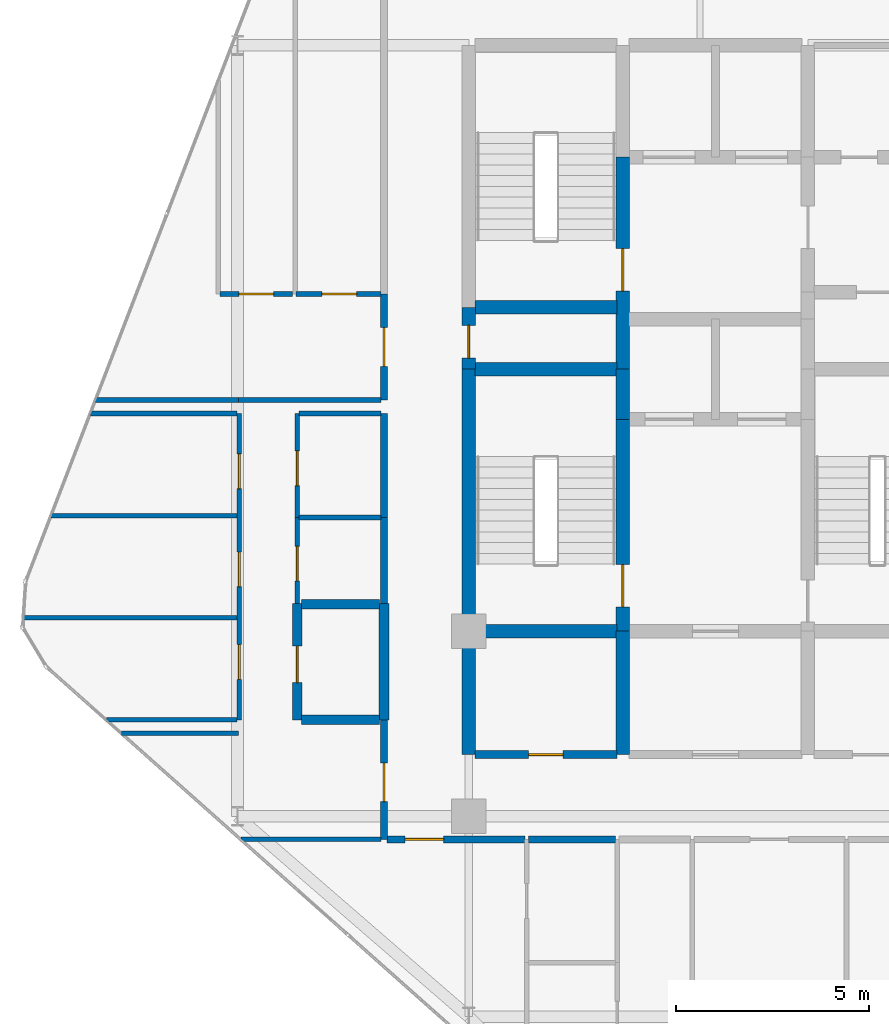
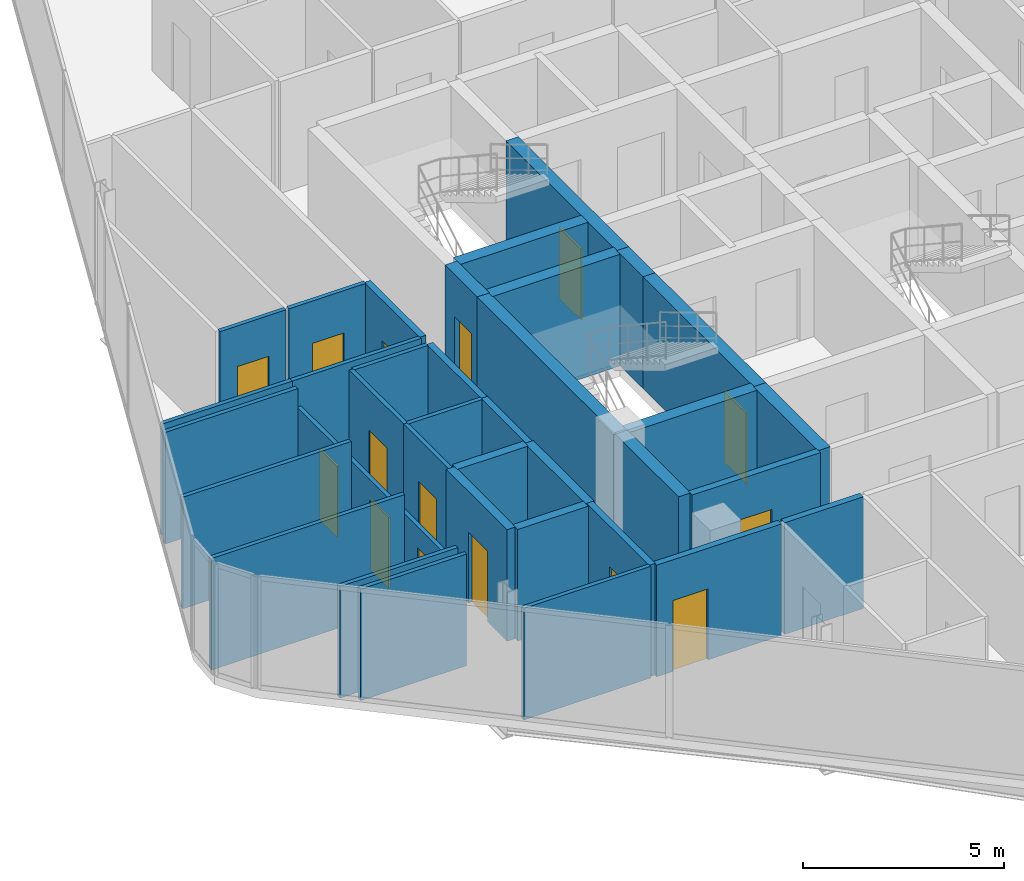
# One storey, part 25 of 32: 36 walls, 15 doors, 15 openings.
"""IFC4 building model written with IfcOpenShell, lengths in metres."""

from ifc_helpers import new_model, si_unit, direction, frame, frame_2d, origin, place, context, subcontext, project, spatial, rectangle, extrude, material, layer, layer_set, type_object, element, fill, save


model = new_model("IFC4")

# Units and contexts
model_context = context("Model", 3, precision=1e-05, world=origin(), true_north=direction((0.0, 1.0)))
body_context = subcontext(model_context, "Body", "Model", "MODEL_VIEW")
ifc_project = project(units=[si_unit("LENGTHUNIT", "METRE"), si_unit("AREAUNIT", "SQUARE_METRE"), si_unit("VOLUMEUNIT", "CUBIC_METRE"), si_unit("PLANEANGLEUNIT", "RADIAN"), si_unit("MASSUNIT", "GRAM", prefix="KILO")], contexts=[model_context])

# Site, building, storey
site_placement = place(None, origin())
site = spatial("IfcSite", under=ifc_project, at=site_placement, CompositionType="ELEMENT")
building_placement = place(site_placement, origin())
building = spatial("IfcBuilding", under=site, at=building_placement, Name="Keshet Zoharim Tower", CompositionType="ELEMENT")
storey_placement = place(building_placement, frame((0.0, 0.0, 137.199951171875)))
storey = spatial("IfcBuildingStorey", under=building, at=storey_placement, Name="L33", CompositionType="ELEMENT", Elevation=137.199951171875)

# Walls
ifc_material_1 = material(Name="Concrete C60/75", Category="concrete")
ifc_layer_1 = layer(ifc_material_1, 0.35009765625)
ifc_layer_set_1 = layer_set([ifc_layer_1], Name="Concrete C60/75")
wall_type_1 = type_object("IfcWallType", Name="WL-CORE-350", PredefinedType="SHEAR", material=ifc_layer_set_1)
wall_1_placement = place(storey_placement, frame((15.0, 19.5, 0.0), z_axis=(0.0, 0.0, 1.0), x_axis=(0.0, 1.0, 0.0)))
element("IfcWall", 1, at=wall_1_placement, inside=storey, type_object=wall_type_1, Name="L33 Core Shear Wall 013", PredefinedType="SHEAR", context=body_context, shape_type="SweptSolid", body=[
    extrude(rectangle(XDim=3.199951171875, YDim=0.35009765625, at=frame_2d((1.60009765625, 0.0))), origin(), (0.0, 0.0, 1.0), 3.385009765625),
])
wall_2_placement = place(storey_placement, frame((15.0, 22.699951171875, 0.0), z_axis=(0.0, 0.0, 1.0), x_axis=(0.0, 1.0, 0.0)))
element("IfcWall", 2, at=wall_2_placement, inside=storey, type_object=wall_type_1, Name="L33 Core Shear Wall 014", PredefinedType="SHEAR", context=body_context, shape_type="SweptSolid", body=[
    extrude(rectangle(XDim=6.800048828125, YDim=0.35009765625, at=frame_2d((3.39990234375, 0.0))), origin(), (0.0, 0.0, 1.0), 3.385009765625),
])

# Wall, opening, door
wall_3_placement = place(storey_placement, frame((15.0, 29.5, 0.0), z_axis=(0.0, 0.0, 1.0), x_axis=(0.0, 1.0, 0.0)))
wall_3 = element("IfcWall", 3, at=wall_3_placement, inside=storey, type_object=wall_type_1, Name="L33 Core Shear Wall 015", PredefinedType="SHEAR", context=body_context, shape_type="SweptSolid", body=[
    extrude(rectangle(XDim=1.60009765625, YDim=0.35009765625, at=frame_2d((0.800048828125, 0.0))), origin(), (0.0, 0.0, 1.0), 3.385009765625),
])
opening_1_placement = place(wall_3_placement, frame((0.287109375, 0.0, 0.0)))
opening_1 = element("IfcOpeningElement", 4, at=opening_1_placement, cuts=wall_3, Name="Opening D-RS85", PredefinedType="OPENING", context=body_context, shape_type="SweptSolid", body=[
    extrude(rectangle(XDim=0.85009765625, YDim=2.10009765625, at=frame_2d((0.425048828125, 1.050048828125))), frame((0.0, 0.18505859375, 0.0), z_axis=(0.0, -1.0, 0.0), x_axis=(1.0, 0.0, 0.0)), (0.0, 0.0, 1.0), 0.3701171875),
])
ifc_material_2 = material(Name="Hardwood Timber", Category="wood")
door_type_1 = type_object("IfcDoorType", Name="DR-RIS-085", OperationType="NOTDEFINED", PredefinedType="DOOR", material=ifc_material_2)
door_1_placement = place(opening_1_placement, origin())
door_1 = element("IfcDoor", 5, at=door_1_placement, inside=storey, type_object=door_type_1, Name="L33 Electrical Riser Access Cupboard Door", OperationType="SINGLE_SWING_RIGHT", OverallHeight=2.10009765625, OverallWidth=0.85009765625, PredefinedType="DOOR", context=body_context, shape_type="SweptSolid", body=[
    extrude(rectangle(XDim=0.85009765625, YDim=2.10009765625, at=frame_2d((0.425048828125, 1.050048828125))), frame((0.0, 0.02490234375, 0.0), z_axis=(0.0, -1.0, 0.0), x_axis=(1.0, 0.0, 0.0)), (0.0, 0.0, 1.0), 0.050048828125),
])
fill(opening_1, door_1)

# Wall
wall_4_placement = place(storey_placement, frame((19.0, 19.5, 0.0), z_axis=(0.0, 0.0, 1.0), x_axis=(0.0, 1.0, 0.0)))
element("IfcWall", 6, at=wall_4_placement, inside=storey, type_object=wall_type_1, Name="L33 Core Shear Wall 025", PredefinedType="SHEAR", context=body_context, shape_type="SweptSolid", body=[
    extrude(rectangle(XDim=3.199951171875, YDim=0.35009765625, at=frame_2d((1.60009765625, 0.0))), origin(), (0.0, 0.0, 1.0), 3.385009765625),
])

# Wall, opening, door
wall_5_placement = place(storey_placement, frame((19.0, 22.699951171875, 0.0), z_axis=(0.0, 0.0, 1.0), x_axis=(0.0, 1.0, 0.0)))
wall_5 = element("IfcWall", 7, at=wall_5_placement, inside=storey, type_object=wall_type_1, Name="L33 Core Shear Wall 026", PredefinedType="SHEAR", context=body_context, shape_type="SweptSolid", body=[
    extrude(rectangle(XDim=5.5, YDim=0.35009765625, at=frame_2d((2.75, 0.0))), origin(), (0.0, 0.0, 1.0), 3.385009765625),
])
opening_2_placement = place(wall_5_placement, frame((0.631103515625, 0.0, 0.0)))
opening_2 = element("IfcOpeningElement", 8, at=opening_2_placement, cuts=wall_5, Name="Opening D-F611", PredefinedType="OPENING", context=body_context, shape_type="SweptSolid", body=[
    extrude(rectangle(XDim=1.10009765625, YDim=2.14990234375, at=frame_2d((0.550048828125, 1.074951171875))), frame((0.0, 0.18505859375, 0.0), z_axis=(0.0, -1.0, 0.0), x_axis=(1.0, 0.0, 0.0)), (0.0, 0.0, 1.0), 0.3701171875),
])
door_type_2 = type_object("IfcDoorType", Name="DR-FD60-110", OperationType="NOTDEFINED", PredefinedType="DOOR", material=ifc_material_2)
door_2_placement = place(opening_2_placement, origin())
door_2 = element("IfcDoor", 9, at=door_2_placement, inside=storey, type_object=door_type_2, Name="L33 Exit Stair ST-01 Fire Door", OperationType="SINGLE_SWING_LEFT", OverallHeight=2.14990234375, OverallWidth=1.10009765625, PredefinedType="DOOR", context=body_context, shape_type="SweptSolid", body=[
    extrude(rectangle(XDim=1.10009765625, YDim=2.14990234375, at=frame_2d((0.550048828125, 1.074951171875))), frame((0.0, 0.02490234375, 0.0), z_axis=(0.0, -1.0, 0.0), x_axis=(1.0, 0.0, 0.0)), (0.0, 0.0, 1.0), 0.050048828125),
])
fill(opening_2, door_2)

# Wall
wall_6_placement = place(storey_placement, frame((19.0, 28.199951171875, 0.0), z_axis=(0.0, 0.0, 1.0), x_axis=(0.0, 1.0, 0.0)))
element("IfcWall", 10, at=wall_6_placement, inside=storey, type_object=wall_type_1, Name="L33 Core Shear Wall 027", PredefinedType="SHEAR", context=body_context, shape_type="SweptSolid", body=[
    extrude(rectangle(XDim=1.300048828125, YDim=0.35009765625, at=frame_2d((0.64990234375, 0.0))), origin(), (0.0, 0.0, 1.0), 3.385009765625),
])

# Wall, opening, door
wall_7_placement = place(storey_placement, frame((19.0, 29.5, 0.0), z_axis=(0.0, 0.0, 1.0), x_axis=(0.0, 1.0, 0.0)))
wall_7 = element("IfcWall", 11, at=wall_7_placement, inside=storey, type_object=wall_type_1, Name="L33 Core Shear Wall 028", PredefinedType="SHEAR", context=body_context, shape_type="SweptSolid", body=[
    extrude(rectangle(XDim=5.5, YDim=0.35009765625, at=frame_2d((2.75, 0.0))), origin(), (0.0, 0.0, 1.0), 3.385009765625),
])
opening_3_placement = place(wall_7_placement, frame((2.02490234375, 0.0, 0.0)))
opening_3 = element("IfcOpeningElement", 12, at=opening_3_placement, cuts=wall_7, Name="Opening D-F611", PredefinedType="OPENING", context=body_context, shape_type="SweptSolid", body=[
    extrude(rectangle(XDim=1.10009765625, YDim=2.14990234375, at=frame_2d((0.550048828125, 1.074951171875))), frame((0.0, 0.18505859375, 0.0), z_axis=(0.0, -1.0, 0.0), x_axis=(1.0, 0.0, 0.0)), (0.0, 0.0, 1.0), 0.3701171875),
])
door_3_placement = place(opening_3_placement, origin())
door_3 = element("IfcDoor", 13, at=door_3_placement, inside=storey, type_object=door_type_2, Name="L33 Exit Stair ST-02 Fire Door", OperationType="SINGLE_SWING_RIGHT", OverallHeight=2.14990234375, OverallWidth=1.10009765625, PredefinedType="DOOR", context=body_context, shape_type="SweptSolid", body=[
    extrude(rectangle(XDim=1.10009765625, YDim=2.14990234375, at=frame_2d((0.550048828125, 1.074951171875))), frame((0.0, 0.02490234375, 0.0), z_axis=(0.0, -1.0, 0.0), x_axis=(1.0, 0.0, 0.0)), (0.0, 0.0, 1.0), 0.050048828125),
])
fill(opening_3, door_3)

# Walls
for number, where, z_axis, x_axis, name in (
    (14, (15.159912109375, 22.699951171875, 0.0), (0.0, 0.0, 1.0), (1.0, 0.0, 0.0), "L33 Core Shear Wall 154"),
    (15, (15.159912109375, 29.5, 0.0), (0.0, 0.0, 1.0), (1.0, 0.0, 0.0), "L33 Core Shear Wall 176"),
    (16, (15.159912109375, 31.10009765625, 0.0), (0.0, 0.0, 1.0), (1.0, 0.0, 0.0), "L33 Core Shear Wall 179"),
):
    element("IfcWall", number, at=place(storey_placement, frame(where, z_axis=z_axis, x_axis=x_axis)), inside=storey, type_object=wall_type_1, Name=name, PredefinedType="SHEAR", context=body_context, shape_type="SweptSolid", body=[
        extrude(rectangle(XDim=3.68017578125, YDim=0.35009765625, at=frame_2d((1.840087890625, 0.0))), origin(), (0.0, 0.0, 1.0), 3.385009765625),
    ])

# Wall, opening, door
ifc_material_3 = material(Name="Gypsum Plasterboard", Category="gypsum")
ifc_layer_2 = layer(ifc_material_3, 0.179931640625)
ifc_layer_set_2 = layer_set([ifc_layer_2], Name="Gypsum Plasterboard")
wall_type_2 = type_object("IfcWallType", Name="WL-CORR-180", PredefinedType="STANDARD", material=ifc_layer_set_2)
wall_8_placement = place(storey_placement, frame((12.800048828125, 17.300048828125, 0.0), z_axis=(0.0, 0.0, 1.0), x_axis=(0.0, 1.0, 0.0)))
wall_8 = element("IfcWall", 17, at=wall_8_placement, inside=storey, type_object=wall_type_2, Name="L33 Interior Wall 007", PredefinedType="STANDARD", context=body_context, shape_type="SweptSolid", body=[
    extrude(rectangle(XDim=3.099853515625, YDim=0.179931640625, at=frame_2d((1.5498046875, 0.0))), origin(), (0.0, 0.0, 1.0), 3.385009765625),
])
opening_4_placement = place(wall_8_placement, frame((0.97802734375, 0.0, 0.0)))
opening_4 = element("IfcOpeningElement", 18, at=opening_4_placement, cuts=wall_8, Name="Opening D-F310", PredefinedType="OPENING", context=body_context, shape_type="SweptSolid", body=[
    extrude(rectangle(XDim=1.0, YDim=2.14990234375, at=frame_2d((0.5, 1.074951171875))), frame((0.0, 0.10009765625, 0.0), z_axis=(0.0, -1.0, 0.0), x_axis=(1.0, 0.0, 0.0)), (0.0, 0.0, 1.0), 0.199951171875),
])
door_type_3 = type_object("IfcDoorType", Name="DR-FD30-100", OperationType="NOTDEFINED", PredefinedType="DOOR", material=ifc_material_2)
door_4_placement = place(opening_4_placement, origin())
door_4 = element("IfcDoor", 19, at=door_4_placement, inside=storey, type_object=door_type_3, Name="Apartment 3307 Entrance Door", OperationType="SINGLE_SWING_RIGHT", OverallHeight=2.14990234375, OverallWidth=1.0, PredefinedType="DOOR", context=body_context, shape_type="SweptSolid", body=[
    extrude(rectangle(XDim=1.0, YDim=2.14990234375, at=frame_2d((0.5, 1.074951171875))), frame((0.0, 0.02490234375, 0.0), z_axis=(0.0, -1.0, 0.0), x_axis=(1.0, 0.0, 0.0)), (0.0, 0.0, 1.0), 0.050048828125),
])
fill(opening_4, door_4)

# Walls
wall_9_placement = place(storey_placement, frame((12.800048828125, 23.4208984375, 0.0), z_axis=(0.0, 0.0, 1.0), x_axis=(0.0, 1.0, 0.0)))
element("IfcWall", 20, at=wall_9_placement, inside=storey, type_object=wall_type_2, Name="L33 Interior Wall 009", PredefinedType="STANDARD", context=body_context, shape_type="SweptSolid", body=[
    extrude(rectangle(XDim=2.22607421875, YDim=0.179931640625, at=frame_2d((1.113037109375, 0.0))), origin(), (0.0, 0.0, 1.0), 3.385009765625),
])
wall_10_placement = place(storey_placement, frame((12.800048828125, 25.64697265625, 0.0), z_axis=(0.0, 0.0, 1.0), x_axis=(0.0, 1.0, 0.0)))
element("IfcWall", 21, at=wall_10_placement, inside=storey, type_object=wall_type_2, Name="L33 Interior Wall 010", PredefinedType="STANDARD", context=body_context, shape_type="SweptSolid", body=[
    extrude(rectangle(XDim=2.703125, YDim=0.179931640625, at=frame_2d((1.3515625, 0.0))), origin(), (0.0, 0.0, 1.0), 3.385009765625),
])

# Wall, opening, door
wall_11_placement = place(storey_placement, frame((12.800048828125, 28.699951171875, 0.0), z_axis=(0.0, 0.0, 1.0), x_axis=(0.0, 1.0, 0.0)))
wall_11 = element("IfcWall", 22, at=wall_11_placement, inside=storey, type_object=wall_type_2, Name="L33 Interior Wall 011", PredefinedType="STANDARD", context=body_context, shape_type="SweptSolid", body=[
    extrude(rectangle(XDim=2.75, YDim=0.179931640625, at=frame_2d((1.375, 0.0))), origin(), (0.0, 0.0, 1.0), 3.385009765625),
])
opening_5_placement = place(wall_11_placement, frame((0.875, 0.0, 0.0)))
opening_5 = element("IfcOpeningElement", 23, at=opening_5_placement, cuts=wall_11, Name="Opening D-F310", PredefinedType="OPENING", context=body_context, shape_type="SweptSolid", body=[
    extrude(rectangle(XDim=1.0, YDim=2.14990234375, at=frame_2d((0.5, 1.074951171875))), frame((0.0, 0.10009765625, 0.0), z_axis=(0.0, -1.0, 0.0), x_axis=(1.0, 0.0, 0.0)), (0.0, 0.0, 1.0), 0.199951171875),
])
door_5_placement = place(opening_5_placement, origin())
door_5 = element("IfcDoor", 24, at=door_5_placement, inside=storey, type_object=door_type_3, Name="Apartment 3308 Entrance Door", OperationType="SINGLE_SWING_LEFT", OverallHeight=2.14990234375, OverallWidth=1.0, PredefinedType="DOOR", context=body_context, shape_type="SweptSolid", body=[
    extrude(rectangle(XDim=1.0, YDim=2.14990234375, at=frame_2d((0.5, 1.074951171875))), frame((0.0, 0.02490234375, 0.0), z_axis=(0.0, -1.0, 0.0), x_axis=(1.0, 0.0, 0.0)), (0.0, 0.0, 1.0), 0.050048828125),
])
fill(opening_5, door_5)

wall_12_placement = place(storey_placement, frame((12.875, 17.300048828125, 0.0), z_axis=(0.0, 0.0, 1.0), x_axis=(1.0, 0.0, 0.0)))
wall_12 = element("IfcWall", 25, at=wall_12_placement, inside=storey, type_object=wall_type_2, Name="L33 Interior Wall 131", PredefinedType="STANDARD", context=body_context, shape_type="SweptSolid", body=[
    extrude(rectangle(XDim=3.580078125, YDim=0.179931640625, at=frame_2d((1.7900390625, 0.0))), origin(), (0.0, 0.0, 1.0), 3.385009765625),
])
opening_6_placement = place(wall_12_placement, frame((0.472900390625, 0.0, 0.0)))
opening_6 = element("IfcOpeningElement", 26, at=opening_6_placement, cuts=wall_12, Name="Opening D-F310", PredefinedType="OPENING", context=body_context, shape_type="SweptSolid", body=[
    extrude(rectangle(XDim=1.0, YDim=2.14990234375, at=frame_2d((0.5, 1.074951171875))), frame((0.0, 0.10009765625, 0.0), z_axis=(0.0, -1.0, 0.0), x_axis=(1.0, 0.0, 0.0)), (0.0, 0.0, 1.0), 0.199951171875),
])
door_6_placement = place(opening_6_placement, origin())
door_6 = element("IfcDoor", 27, at=door_6_placement, inside=storey, type_object=door_type_3, Name="Apartment 3301 Entrance Door", OperationType="SINGLE_SWING_LEFT", OverallHeight=2.14990234375, OverallWidth=1.0, PredefinedType="DOOR", context=body_context, shape_type="SweptSolid", body=[
    extrude(rectangle(XDim=1.0, YDim=2.14990234375, at=frame_2d((0.5, 1.074951171875))), frame((0.0, 0.02490234375, 0.0), z_axis=(0.0, -1.0, 0.0), x_axis=(1.0, 0.0, 0.0)), (0.0, 0.0, 1.0), 0.050048828125),
])
fill(opening_6, door_6)

# Wall
wall_13_placement = place(storey_placement, frame((16.544921875, 17.300048828125, 0.0), z_axis=(0.0, 0.0, 1.0), x_axis=(1.0, 0.0, 0.0)))
element("IfcWall", 28, at=wall_13_placement, inside=storey, type_object=wall_type_2, Name="L33 Interior Wall 132", PredefinedType="STANDARD", context=body_context, shape_type="SweptSolid", body=[
    extrude(rectangle(XDim=2.260009765625, YDim=0.179931640625, at=frame_2d((1.1298828125, 0.0))), origin(), (0.0, 0.0, 1.0), 3.385009765625),
])

# Wall, opening, door
ifc_material_4 = material(Name="Concrete C50/60", Category="concrete")
ifc_layer_3 = layer(ifc_material_4, 0.199951171875)
ifc_layer_set_3 = layer_set([ifc_layer_3], Name="Concrete C50/60")
wall_type_3 = type_object("IfcWallType", Name="WL-FIRE-200", PredefinedType="STANDARD", material=ifc_layer_set_3)
wall_14_placement = place(storey_placement, frame((15.159912109375, 19.5, 0.0), z_axis=(0.0, 0.0, 1.0), x_axis=(1.0, 0.0, 0.0)))
wall_14 = element("IfcWall", 29, at=wall_14_placement, inside=storey, type_object=wall_type_3, Name="L33 Interior Wall 145", PredefinedType="STANDARD", context=body_context, shape_type="SweptSolid", body=[
    extrude(rectangle(XDim=3.68017578125, YDim=0.199951171875, at=frame_2d((1.840087890625, 0.0))), origin(), (0.0, 0.0, 1.0), 3.385009765625),
])
opening_7_placement = place(wall_14_placement, frame((1.389892578125, 0.0, 0.0)))
opening_7 = element("IfcOpeningElement", 30, at=opening_7_placement, cuts=wall_14, Name="Opening D-F690", PredefinedType="OPENING", context=body_context, shape_type="SweptSolid", body=[
    extrude(rectangle(XDim=0.89990234375, YDim=2.14990234375, at=frame_2d((0.449951171875, 1.074951171875))), frame((0.0, 0.10986328125, 0.0), z_axis=(0.0, -1.0, 0.0), x_axis=(1.0, 0.0, 0.0)), (0.0, 0.0, 1.0), 0.219970703125),
])
door_type_4 = type_object("IfcDoorType", Name="DR-FD60-090", OperationType="NOTDEFINED", PredefinedType="DOOR", material=ifc_material_2)
door_7_placement = place(opening_7_placement, origin())
door_7 = element("IfcDoor", 31, at=door_7_placement, inside=storey, type_object=door_type_4, Name="L33 Refuse Store Door", OperationType="SINGLE_SWING_RIGHT", OverallHeight=2.14990234375, OverallWidth=0.89990234375, PredefinedType="DOOR", context=body_context, shape_type="SweptSolid", body=[
    extrude(rectangle(XDim=0.89990234375, YDim=2.14990234375, at=frame_2d((0.449951171875, 1.074951171875))), frame((0.0, 0.02490234375, 0.0), z_axis=(0.0, -1.0, 0.0), x_axis=(1.0, 0.0, 0.0)), (0.0, 0.0, 1.0), 0.050048828125),
])
fill(opening_7, door_7)

ifc_layer_4 = layer(ifc_material_4, 0.25)
ifc_layer_set_4 = layer_set([ifc_layer_4], Name="Concrete C50/60")
wall_type_4 = type_object("IfcWallType", Name="WL-MAMAD-250", PredefinedType="STANDARD", material=ifc_layer_set_4)
wall_15_placement = place(storey_placement, frame((10.550048828125, 20.39990234375, 0.0), z_axis=(0.0, 0.0, 1.0), x_axis=(0.0, 1.0, 0.0)))
wall_15 = element("IfcWall", 32, at=wall_15_placement, inside=storey, type_object=wall_type_4, Name="L33 Interior Wall 004", PredefinedType="STANDARD", context=body_context, shape_type="SweptSolid", body=[
    extrude(rectangle(XDim=3.02099609375, YDim=0.25, at=frame_2d((1.510498046875, 0.0))), origin(), (0.0, 0.0, 1.0), 3.385009765625),
])
opening_8_placement = place(wall_15_placement, frame((0.964111328125, 0.0, 0.0)))
opening_8 = element("IfcOpeningElement", 33, at=opening_8_placement, cuts=wall_15, Name="Opening D-F695", PredefinedType="OPENING", context=body_context, shape_type="SweptSolid", body=[
    extrude(rectangle(XDim=0.949951171875, YDim=2.14990234375, at=frame_2d((0.47509765625, 1.074951171875))), frame((0.0, 0.135009765625, 0.0), z_axis=(0.0, -1.0, 0.0), x_axis=(1.0, 0.0, 0.0)), (0.0, 0.0, 1.0), 0.27001953125),
])
door_type_5 = type_object("IfcDoorType", Name="DR-FD60-095", OperationType="NOTDEFINED", PredefinedType="DOOR", material=ifc_material_2)
door_8_placement = place(opening_8_placement, origin())
door_8 = element("IfcDoor", 34, at=door_8_placement, inside=storey, type_object=door_type_5, Name="Apartment 3307 Study and Shelter Room Door", OperationType="SINGLE_SWING_LEFT", OverallHeight=2.14990234375, OverallWidth=0.949951171875, PredefinedType="DOOR", context=body_context, shape_type="SweptSolid", body=[
    extrude(rectangle(XDim=0.949951171875, YDim=2.14990234375, at=frame_2d((0.47509765625, 1.074951171875))), frame((0.0, 0.02490234375, 0.0), z_axis=(0.0, -1.0, 0.0), x_axis=(1.0, 0.0, 0.0)), (0.0, 0.0, 1.0), 0.050048828125),
])
fill(opening_8, door_8)

# Walls
wall_16_placement = place(storey_placement, frame((12.800048828125, 20.39990234375, 0.0), z_axis=(0.0, 0.0, 1.0), x_axis=(0.0, 1.0, 0.0)))
element("IfcWall", 35, at=wall_16_placement, inside=storey, type_object=wall_type_4, Name="L33 Interior Wall 008", PredefinedType="STANDARD", context=body_context, shape_type="SweptSolid", body=[
    extrude(rectangle(XDim=3.02099609375, YDim=0.25, at=frame_2d((1.510498046875, 0.0))), origin(), (0.0, 0.0, 1.0), 3.385009765625),
])
for number, where, z_axis, x_axis, name in (
    (36, (10.659912109375, 20.39990234375, 0.0), (0.0, 0.0, 1.0), (1.0, 0.0, 0.0), "L33 Interior Wall 152"),
    (37, (10.659912109375, 23.39990234375, 0.0), (0.0, 0.0, 1.0), (1.0, 0.0, 0.0), "L33 Interior Wall 160"),
):
    element("IfcWall", number, at=place(storey_placement, frame(where, z_axis=z_axis, x_axis=x_axis)), inside=storey, type_object=wall_type_4, Name=name, PredefinedType="STANDARD", context=body_context, shape_type="SweptSolid", body=[
        extrude(rectangle(XDim=2.030029296875, YDim=0.25, at=frame_2d((1.01513671875, 0.0))), origin(), (0.0, 0.0, 1.0), 3.385009765625),
    ])

# Wall, openings, doors
ifc_layer_5 = layer(ifc_material_3, 0.1201171875)
ifc_layer_set_5 = layer_set([ifc_layer_5], Name="Gypsum Plasterboard")
wall_type_5 = type_object("IfcWallType", Name="WL-PART-120", PredefinedType="PARTITIONING", material=ifc_layer_set_5)
wall_17_placement = place(storey_placement, frame((9.050048828125, 20.39990234375, 0.0), z_axis=(0.0, 0.0, 1.0), x_axis=(0.0, 1.0, 0.0)))
wall_17 = element("IfcWall", 38, at=wall_17_placement, inside=storey, type_object=wall_type_5, Name="L33 Interior Wall 002", PredefinedType="PARTITIONING", context=body_context, shape_type="SweptSolid", body=[
    extrude(rectangle(XDim=7.9501953125, YDim=0.1201171875, at=frame_2d((3.97509765625, 0.0))), origin(), (0.0, 0.0, 1.0), 2.78515625),
])
opening_9_placement = place(wall_17_placement, frame((1.050048828125, 0.0, 0.0)))
opening_9 = element("IfcOpeningElement", 39, at=opening_9_placement, cuts=wall_17, Name="Opening D-IN90", PredefinedType="OPENING", context=body_context, shape_type="SweptSolid", body=[
    extrude(rectangle(XDim=0.89990234375, YDim=2.14990234375, at=frame_2d((0.449951171875, 1.074951171875))), frame((0.0, 0.070068359375, 0.0), z_axis=(0.0, -1.0, 0.0), x_axis=(1.0, 0.0, 0.0)), (0.0, 0.0, 1.0), 0.14013671875),
])
opening_10_placement = place(wall_17_placement, frame((3.455078125, 0.0, 0.0)))
opening_10 = element("IfcOpeningElement", 40, at=opening_10_placement, cuts=wall_17, Name="Opening D-IN90", PredefinedType="OPENING", context=body_context, shape_type="SweptSolid", body=[
    extrude(rectangle(XDim=0.89990234375, YDim=2.14990234375, at=frame_2d((0.449951171875, 1.074951171875))), frame((0.0, 0.070068359375, 0.0), z_axis=(0.0, -1.0, 0.0), x_axis=(1.0, 0.0, 0.0)), (0.0, 0.0, 1.0), 0.14013671875),
])
opening_11_placement = place(wall_17_placement, frame((6.0, 0.0, 0.0)))
opening_11 = element("IfcOpeningElement", 41, at=opening_11_placement, cuts=wall_17, Name="Opening D-IN90", PredefinedType="OPENING", context=body_context, shape_type="SweptSolid", body=[
    extrude(rectangle(XDim=0.89990234375, YDim=2.14990234375, at=frame_2d((0.449951171875, 1.074951171875))), frame((0.0, 0.070068359375, 0.0), z_axis=(0.0, -1.0, 0.0), x_axis=(1.0, 0.0, 0.0)), (0.0, 0.0, 1.0), 0.14013671875),
])
door_type_6 = type_object("IfcDoorType", Name="DR-INT-090", OperationType="NOTDEFINED", PredefinedType="DOOR", material=ifc_material_2)
door_9_placement = place(opening_9_placement, origin())
door_9 = element("IfcDoor", 42, at=door_9_placement, inside=storey, type_object=door_type_6, Name="Apartment 3307 Bedroom 1 Door", OperationType="SINGLE_SWING_RIGHT", OverallHeight=2.14990234375, OverallWidth=0.89990234375, PredefinedType="DOOR", context=body_context, shape_type="SweptSolid", body=[
    extrude(rectangle(XDim=0.89990234375, YDim=2.14990234375, at=frame_2d((0.449951171875, 1.074951171875))), frame((0.0, 0.02490234375, 0.0), z_axis=(0.0, -1.0, 0.0), x_axis=(1.0, 0.0, 0.0)), (0.0, 0.0, 1.0), 0.050048828125),
])
fill(opening_9, door_9)
door_10_placement = place(opening_10_placement, origin())
door_10 = element("IfcDoor", 43, at=door_10_placement, inside=storey, type_object=door_type_6, Name="Apartment 3307 Bedroom 2 Door", OperationType="SINGLE_SWING_LEFT", OverallHeight=2.14990234375, OverallWidth=0.89990234375, PredefinedType="DOOR", context=body_context, shape_type="SweptSolid", body=[
    extrude(rectangle(XDim=0.89990234375, YDim=2.14990234375, at=frame_2d((0.449951171875, 1.074951171875))), frame((0.0, 0.02490234375, 0.0), z_axis=(0.0, -1.0, 0.0), x_axis=(1.0, 0.0, 0.0)), (0.0, 0.0, 1.0), 0.050048828125),
])
fill(opening_10, door_10)
door_11_placement = place(opening_11_placement, origin())
door_11 = element("IfcDoor", 44, at=door_11_placement, inside=storey, type_object=door_type_6, Name="Apartment 3307 Bedroom 3 Door", OperationType="SINGLE_SWING_RIGHT", OverallHeight=2.14990234375, OverallWidth=0.89990234375, PredefinedType="DOOR", context=body_context, shape_type="SweptSolid", body=[
    extrude(rectangle(XDim=0.89990234375, YDim=2.14990234375, at=frame_2d((0.449951171875, 1.074951171875))), frame((0.0, 0.02490234375, 0.0), z_axis=(0.0, -1.0, 0.0), x_axis=(1.0, 0.0, 0.0)), (0.0, 0.0, 1.0), 0.050048828125),
])
fill(opening_11, door_11)

# Wall, opening, door
wall_18_placement = place(storey_placement, frame((10.550048828125, 25.64697265625, 0.0), z_axis=(0.0, 0.0, 1.0), x_axis=(0.0, 1.0, 0.0)))
wall_18 = element("IfcWall", 45, at=wall_18_placement, inside=storey, type_object=wall_type_5, Name="L33 Interior Wall 006", PredefinedType="PARTITIONING", context=body_context, shape_type="SweptSolid", body=[
    extrude(rectangle(XDim=2.703125, YDim=0.1201171875, at=frame_2d((1.3515625, 0.0))), origin(), (0.0, 0.0, 1.0), 3.385009765625),
])
opening_12_placement = place(wall_18_placement, frame((0.830078125, 0.0, 0.0)))
opening_12 = element("IfcOpeningElement", 46, at=opening_12_placement, cuts=wall_18, Name="Opening D-IN90", PredefinedType="OPENING", context=body_context, shape_type="SweptSolid", body=[
    extrude(rectangle(XDim=0.89990234375, YDim=2.14990234375, at=frame_2d((0.449951171875, 1.074951171875))), frame((0.0, 0.070068359375, 0.0), z_axis=(0.0, -1.0, 0.0), x_axis=(1.0, 0.0, 0.0)), (0.0, 0.0, 1.0), 0.14013671875),
])
door_12_placement = place(opening_12_placement, origin())
door_12 = element("IfcDoor", 47, at=door_12_placement, inside=storey, type_object=door_type_6, Name="Apartment 3307 Kitchen Door", OperationType="SINGLE_SWING_LEFT", OverallHeight=2.14990234375, OverallWidth=0.89990234375, PredefinedType="DOOR", context=body_context, shape_type="SweptSolid", body=[
    extrude(rectangle(XDim=0.89990234375, YDim=2.14990234375, at=frame_2d((0.449951171875, 1.074951171875))), frame((0.0, 0.02490234375, 0.0), z_axis=(0.0, -1.0, 0.0), x_axis=(1.0, 0.0, 0.0)), (0.0, 0.0, 1.0), 0.050048828125),
])
fill(opening_12, door_12)

# Walls
wall_19_placement = place(storey_placement, frame((9.0849609375, 17.300048828125, 0.0), z_axis=(0.0, 0.0, 1.0), x_axis=(1.0, 0.0, 0.0)))
element("IfcWall", 48, at=wall_19_placement, inside=storey, type_object=wall_type_5, Name="L33 Interior Wall 130", PredefinedType="PARTITIONING", context=body_context, shape_type="SweptSolid", body=[
    extrude(rectangle(XDim=3.64013671875, YDim=0.1201171875, at=frame_2d((1.820068359375, 0.0))), origin(), (0.0, 0.0, 1.0), 3.385009765625),
])
wall_20_placement = place(storey_placement, frame((5.990966796875, 20.050048828125, 0.0), z_axis=(0.0, 0.0, 1.0), x_axis=(1.0, 0.0, 0.0)))
element("IfcWall", 49, at=wall_20_placement, inside=storey, type_object=wall_type_5, Name="L33 Interior Wall 150", PredefinedType="PARTITIONING", context=body_context, shape_type="SweptSolid", body=[
    extrude(rectangle(XDim=3.0390625, YDim=0.1201171875, at=frame_2d((1.51953125, 0.0))), origin(), (0.0, 0.0, 1.0), 3.385009765625),
])
wall_21_placement = place(storey_placement, frame((5.597900390625, 20.39990234375, 0.0), z_axis=(0.0, 0.0, 1.0), x_axis=(1.0, 0.0, 0.0)))
element("IfcWall", 50, at=wall_21_placement, inside=storey, type_object=wall_type_5, Name="L33 Interior Wall 151", PredefinedType="PARTITIONING", context=body_context, shape_type="SweptSolid", body=[
    extrude(rectangle(XDim=3.38720703125, YDim=0.1201171875, at=frame_2d((1.693603515625, 0.0))), origin(), (0.0, 0.0, 1.0), 3.385009765625),
])
wall_22_placement = place(storey_placement, frame((3.446044921875, 23.050048828125, 0.0), z_axis=(0.0, 0.0, 1.0), x_axis=(1.0, 0.0, 0.0)))
element("IfcWall", 51, at=wall_22_placement, inside=storey, type_object=wall_type_5, Name="L33 Interior Wall 158", PredefinedType="PARTITIONING", context=body_context, shape_type="SweptSolid", body=[
    extrude(rectangle(XDim=5.5390625, YDim=0.1201171875, at=frame_2d((2.76953125, 0.0))), origin(), (0.0, 0.0, 1.0), 3.385009765625),
])
wall_23_placement = place(storey_placement, frame((4.1640625, 25.699951171875, 0.0), z_axis=(0.0, 0.0, 1.0), x_axis=(1.0, 0.0, 0.0)))
element("IfcWall", 52, at=wall_23_placement, inside=storey, type_object=wall_type_5, Name="L33 Interior Wall 163", PredefinedType="PARTITIONING", context=body_context, shape_type="SweptSolid", body=[
    extrude(rectangle(XDim=4.821044921875, YDim=0.1201171875, at=frame_2d((2.41064453125, 0.0))), origin(), (0.0, 0.0, 1.0), 3.385009765625),
])
wall_24_placement = place(storey_placement, frame((5.18310546875, 28.35009765625, 0.0), z_axis=(0.0, 0.0, 1.0), x_axis=(1.0, 0.0, 0.0)))
element("IfcWall", 53, at=wall_24_placement, inside=storey, type_object=wall_type_5, Name="L33 Interior Wall 168", PredefinedType="PARTITIONING", context=body_context, shape_type="SweptSolid", body=[
    extrude(rectangle(XDim=3.802001953125, YDim=0.1201171875, at=frame_2d((1.90087890625, 0.0))), origin(), (0.0, 0.0, 1.0), 3.385009765625),
])
wall_25_placement = place(storey_placement, frame((10.594970703125, 28.35009765625, 0.0), z_axis=(0.0, 0.0, 1.0), x_axis=(1.0, 0.0, 0.0)))
element("IfcWall", 54, at=wall_25_placement, inside=storey, type_object=wall_type_5, Name="L33 Interior Wall 169", PredefinedType="PARTITIONING", context=body_context, shape_type="SweptSolid", body=[
    extrude(rectangle(XDim=2.130126953125, YDim=0.1201171875, at=frame_2d((1.06494140625, 0.0))), origin(), (0.0, 0.0, 1.0), 3.385009765625),
])
wall_26_placement = place(storey_placement, frame((5.31689453125, 28.699951171875, 0.0), z_axis=(0.0, 0.0, 1.0), x_axis=(1.0, 0.0, 0.0)))
element("IfcWall", 55, at=wall_26_placement, inside=storey, type_object=wall_type_5, Name="L33 Interior Wall 170", PredefinedType="PARTITIONING", context=body_context, shape_type="SweptSolid", body=[
    extrude(rectangle(XDim=3.713134765625, YDim=0.1201171875, at=frame_2d((1.8564453125, 0.0))), origin(), (0.0, 0.0, 1.0), 3.385009765625),
])
wall_27_placement = place(storey_placement, frame((9.030029296875, 28.699951171875, 0.0), z_axis=(0.0, 0.0, 1.0), x_axis=(1.0, 0.0, 0.0)))
element("IfcWall", 56, at=wall_27_placement, inside=storey, type_object=wall_type_5, Name="L33 Interior Wall 171", PredefinedType="PARTITIONING", context=body_context, shape_type="SweptSolid", body=[
    extrude(rectangle(XDim=3.695068359375, YDim=0.1201171875, at=frame_2d((1.84765625, 0.0))), origin(), (0.0, 0.0, 1.0), 3.385009765625),
])

# Wall, opening, door
wall_28_placement = place(storey_placement, frame((8.544921875, 31.449951171875, 0.0), z_axis=(0.0, 0.0, 1.0), x_axis=(1.0, 0.0, 0.0)))
wall_28 = element("IfcWall", 57, at=wall_28_placement, inside=storey, type_object=wall_type_5, Name="L33 Interior Wall 180", PredefinedType="PARTITIONING", context=body_context, shape_type="SweptSolid", body=[
    extrude(rectangle(XDim=1.88818359375, YDim=0.1201171875, at=frame_2d((0.944091796875, 0.0))), origin(), (0.0, 0.0, 1.0), 3.385009765625),
])
opening_13_placement = place(wall_28_placement, frame((0.493896484375, 0.0, 0.0)))
opening_13 = element("IfcOpeningElement", 58, at=opening_13_placement, cuts=wall_28, Name="Opening D-IN90", PredefinedType="OPENING", context=body_context, shape_type="SweptSolid", body=[
    extrude(rectangle(XDim=0.89990234375, YDim=2.14990234375, at=frame_2d((0.449951171875, 1.074951171875))), frame((0.0, 0.070068359375, 0.0), z_axis=(0.0, -1.0, 0.0), x_axis=(1.0, 0.0, 0.0)), (0.0, 0.0, 1.0), 0.14013671875),
])
door_13_placement = place(opening_13_placement, origin())
door_13 = element("IfcDoor", 59, at=door_13_placement, inside=storey, type_object=door_type_6, Name="Apartment 3308 Kitchen Door", OperationType="SINGLE_SWING_RIGHT", OverallHeight=2.14990234375, OverallWidth=0.89990234375, PredefinedType="DOOR", context=body_context, shape_type="SweptSolid", body=[
    extrude(rectangle(XDim=0.89990234375, YDim=2.14990234375, at=frame_2d((0.449951171875, 1.074951171875))), frame((0.0, 0.02490234375, 0.0), z_axis=(0.0, -1.0, 0.0), x_axis=(1.0, 0.0, 0.0)), (0.0, 0.0, 1.0), 0.050048828125),
])
fill(opening_13, door_13)

ifc_layer_6 = layer(ifc_material_3, 0.1201171875)
ifc_layer_set_6 = layer_set([ifc_layer_6], Name="Gypsum Plasterboard")
wall_type_6 = type_object("IfcWallType", Name="WL-WET-120", PredefinedType="PARTITIONING", material=ifc_layer_set_6)
wall_29_placement = place(storey_placement, frame((10.550048828125, 23.4208984375, 0.0), z_axis=(0.0, 0.0, 1.0), x_axis=(0.0, 1.0, 0.0)))
wall_29 = element("IfcWall", 60, at=wall_29_placement, inside=storey, type_object=wall_type_6, Name="L33 Interior Wall 005", PredefinedType="PARTITIONING", context=body_context, shape_type="SweptSolid", body=[
    extrude(rectangle(XDim=2.22607421875, YDim=0.1201171875, at=frame_2d((1.113037109375, 0.0))), origin(), (0.0, 0.0, 1.0), 3.385009765625),
])
opening_14_placement = place(wall_29_placement, frame((0.583984375, 0.0, 0.0)))
opening_14 = element("IfcOpeningElement", 61, at=opening_14_placement, cuts=wall_29, Name="Opening D-WT90", PredefinedType="OPENING", context=body_context, shape_type="SweptSolid", body=[
    extrude(rectangle(XDim=0.89990234375, YDim=2.10009765625, at=frame_2d((0.449951171875, 1.050048828125))), frame((0.0, 0.070068359375, 0.0), z_axis=(0.0, -1.0, 0.0), x_axis=(1.0, 0.0, 0.0)), (0.0, 0.0, 1.0), 0.14013671875),
])
door_type_7 = type_object("IfcDoorType", Name="DR-WET-090", OperationType="NOTDEFINED", PredefinedType="DOOR", material=ifc_material_2)
door_14_placement = place(opening_14_placement, origin())
door_14 = element("IfcDoor", 62, at=door_14_placement, inside=storey, type_object=door_type_7, Name="Apartment 3307 Bathroom Door", OperationType="SINGLE_SWING_RIGHT", OverallHeight=2.10009765625, OverallWidth=0.89990234375, PredefinedType="DOOR", context=body_context, shape_type="SweptSolid", body=[
    extrude(rectangle(XDim=0.89990234375, YDim=2.10009765625, at=frame_2d((0.449951171875, 1.050048828125))), frame((0.0, 0.02490234375, 0.0), z_axis=(0.0, -1.0, 0.0), x_axis=(1.0, 0.0, 0.0)), (0.0, 0.0, 1.0), 0.050048828125),
])
fill(opening_14, door_14)

# Wall
wall_30_placement = place(storey_placement, frame((10.594970703125, 25.64990234375, 0.0), z_axis=(0.0, 0.0, 1.0), x_axis=(1.0, 0.0, 0.0)))
element("IfcWall", 63, at=wall_30_placement, inside=storey, type_object=wall_type_6, Name="L33 Interior Wall 162", PredefinedType="PARTITIONING", context=body_context, shape_type="SweptSolid", body=[
    extrude(rectangle(XDim=2.130126953125, YDim=0.1201171875, at=frame_2d((1.06494140625, 0.0))), origin(), (0.0, 0.0, 1.0), 3.385009765625),
])

# Wall, opening, door
wall_31_placement = place(storey_placement, frame((10.52294921875, 31.449951171875, 0.0), z_axis=(0.0, 0.0, 1.0), x_axis=(1.0, 0.0, 0.0)))
wall_31 = element("IfcWall", 64, at=wall_31_placement, inside=storey, type_object=wall_type_6, Name="L33 Interior Wall 181", PredefinedType="PARTITIONING", context=body_context, shape_type="SweptSolid", body=[
    extrude(rectangle(XDim=2.2021484375, YDim=0.1201171875, at=frame_2d((1.10107421875, 0.0))), origin(), (0.0, 0.0, 1.0), 3.385009765625),
])
opening_15_placement = place(wall_31_placement, frame((0.666015625, 0.0, 0.0)))
opening_15 = element("IfcOpeningElement", 65, at=opening_15_placement, cuts=wall_31, Name="Opening D-WT90", PredefinedType="OPENING", context=body_context, shape_type="SweptSolid", body=[
    extrude(rectangle(XDim=0.89990234375, YDim=2.10009765625, at=frame_2d((0.449951171875, 1.050048828125))), frame((0.0, 0.070068359375, 0.0), z_axis=(0.0, -1.0, 0.0), x_axis=(1.0, 0.0, 0.0)), (0.0, 0.0, 1.0), 0.14013671875),
])
door_15_placement = place(opening_15_placement, origin())
door_15 = element("IfcDoor", 66, at=door_15_placement, inside=storey, type_object=door_type_7, Name="Apartment 3308 Bathroom Door", OperationType="SINGLE_SWING_LEFT", OverallHeight=2.10009765625, OverallWidth=0.89990234375, PredefinedType="DOOR", context=body_context, shape_type="SweptSolid", body=[
    extrude(rectangle(XDim=0.89990234375, YDim=2.10009765625, at=frame_2d((0.449951171875, 1.050048828125))), frame((0.0, 0.02490234375, 0.0), z_axis=(0.0, -1.0, 0.0), x_axis=(1.0, 0.0, 0.0)), (0.0, 0.0, 1.0), 0.050048828125),
])
fill(opening_15, door_15)

save(model, "model.ifc")
